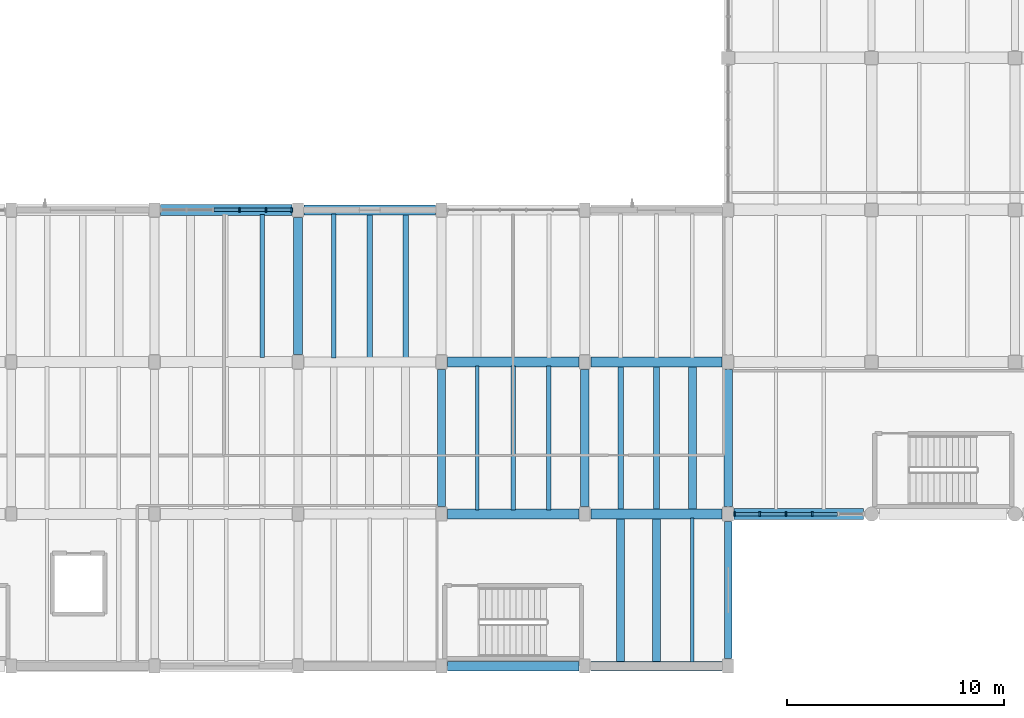
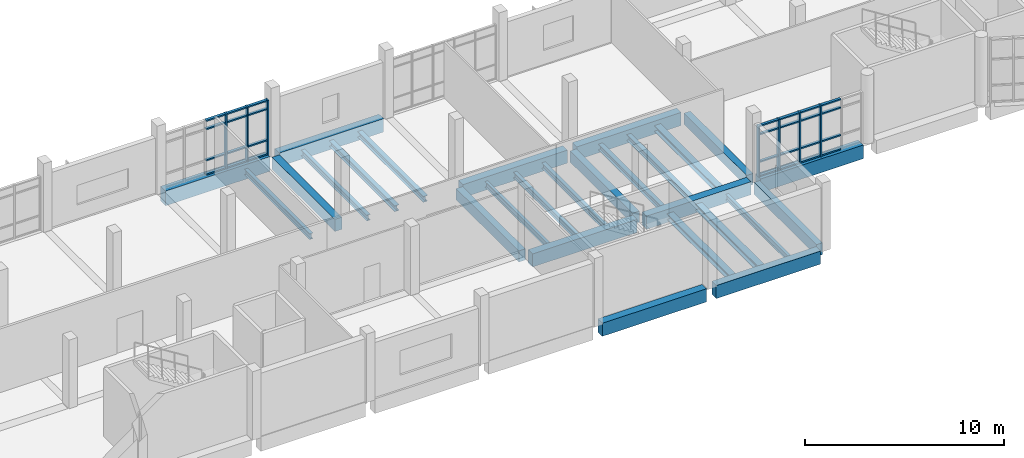
# One storey, part 4 of 67: 35 members, 27 beams, 2 elements without a shape of their own.
"""IFC4 building model written with IfcOpenShell, lengths in metres."""

from ifc_helpers import new_model, si_unit, direction, frame, origin, origin_2d, place, context, subcontext, project, spatial, rectangle, i_section, extrude, material, material_profile, profile_set, type_object, element, aggregate, save


model = new_model("IFC4")

# Units and contexts
model_context = context("Model", 3, precision=1e-05, world=origin(), true_north=direction((0.0, 1.0)))
body_context = subcontext(model_context, "Body", "Model", "MODEL_VIEW")
ifc_project = project(units=[si_unit("LENGTHUNIT", "METRE"), si_unit("AREAUNIT", "SQUARE_METRE"), si_unit("VOLUMEUNIT", "CUBIC_METRE"), si_unit("PLANEANGLEUNIT", "RADIAN"), si_unit("MASSUNIT", "GRAM", prefix="KILO")], contexts=[model_context])

# Site, building, storey
site_placement = place(None, origin())
site = spatial("IfcSite", under=ifc_project, at=site_placement, CompositionType="ELEMENT")
building_placement = place(site_placement, origin())
building = spatial("IfcBuilding", under=site, at=building_placement, Name="Ciguamira Faculty of Natural Sciences", CompositionType="ELEMENT")
storey_placement = place(building_placement, frame((0.0, 0.0, 8.39990234375)))
storey = spatial("IfcBuildingStorey", under=building, at=storey_placement, Name="L02", CompositionType="ELEMENT", Elevation=8.39990234375)

# Curtain wall, members
ifc_material_1 = material(Name="Anodized aluminium curtain wall", Category="aluminium")
curtain_wall_type_1 = type_object("IfcCurtainWallType", Name="CurtainWall_CW-06", PredefinedType="USERDEFINED", material=ifc_material_1)
curtain_wall_1_placement = place(storey_placement, origin())
curtain_wall_1 = element("IfcCurtainWall", 1, at=curtain_wall_1_placement, inside=storey, type_object=curtain_wall_type_1, Name="L02 unitised curtain wall 0054", ObjectType="UNITISED CURTAIN WALL", PredefinedType="USERDEFINED")
ifc_material_2 = material(Name="Anodized aluminium mullion", Category="aluminium")
ifc_material_profile_1 = material_profile(ifc_material_2, rectangle(XDim=0.080078125, YDim=0.219970703125, at=origin_2d()), Name="ALU-MUL-80X220")
ifc_profile_set_1 = profile_set([ifc_material_profile_1], Name="Anodized aluminium mullion")
member_type_1 = type_object("IfcMemberType", Name="CWMullion_CWM-03", PredefinedType="MULLION", material=ifc_profile_set_1)
member_1_placement = place(storey_placement, frame((50.989990234375, 10.0, 0.0), z_axis=(0.0, 0.0, 1.0), x_axis=(1.0, 0.0, 0.0)))
member_1 = element("IfcMember", 2, at=member_1_placement, type_object=member_type_1, Name="CW-06 mullion 1", PredefinedType="MULLION", context=body_context, shape_type="SweptSolid", body=[
    extrude(rectangle(XDim=0.080078125, YDim=0.219970703125, at=origin_2d()), origin(), (0.0, 0.0, 1.0), 3.135009765625),
])
member_2_placement = place(storey_placement, frame((52.155029296875, 10.0, 0.0), z_axis=(0.0, 0.0, 1.0), x_axis=(1.0, 0.0, 0.0)))
member_2 = element("IfcMember", 3, at=member_2_placement, type_object=member_type_1, Name="CW-06 mullion 2", PredefinedType="MULLION", context=body_context, shape_type="SweptSolid", body=[
    extrude(rectangle(XDim=0.080078125, YDim=0.219970703125, at=origin_2d()), origin(), (0.0, 0.0, 1.0), 3.135009765625),
])
member_3_placement = place(storey_placement, frame((53.360107421875, 10.0, 0.0), z_axis=(0.0, 0.0, 1.0), x_axis=(1.0, 0.0, 0.0)))
member_3 = element("IfcMember", 4, at=member_3_placement, type_object=member_type_1, Name="CW-06 mullion 3", PredefinedType="MULLION", context=body_context, shape_type="SweptSolid", body=[
    extrude(rectangle(XDim=0.080078125, YDim=0.219970703125, at=origin_2d()), origin(), (0.0, 0.0, 1.0), 3.135009765625),
])
member_4_placement = place(storey_placement, frame((54.56494140625, 10.0, 0.0), z_axis=(0.0, 0.0, 1.0), x_axis=(1.0, 0.0, 0.0)))
member_4 = element("IfcMember", 5, at=member_4_placement, type_object=member_type_1, Name="CW-06 mullion 4", PredefinedType="MULLION", context=body_context, shape_type="SweptSolid", body=[
    extrude(rectangle(XDim=0.080078125, YDim=0.219970703125, at=origin_2d()), origin(), (0.0, 0.0, 1.0), 3.135009765625),
])

curtain_wall_type_2 = type_object("IfcCurtainWallType", Name="CurtainWall_CW-09", PredefinedType="USERDEFINED", material=ifc_material_1)
curtain_wall_2_placement = place(storey_placement, origin())
curtain_wall_2 = element("IfcCurtainWall", 6, at=curtain_wall_2_placement, inside=storey, type_object=curtain_wall_type_2, Name="L02 unitised curtain wall 0057", ObjectType="UNITISED CURTAIN WALL", PredefinedType="USERDEFINED")
member_5_placement = place(storey_placement, frame((28.2099609375, 24.0, 0.0), z_axis=(0.0, 0.0, 1.0), x_axis=(1.0, 0.0, 0.0)))
member_5 = element("IfcMember", 7, at=member_5_placement, type_object=member_type_1, Name="CW-09 mullion 4", PredefinedType="MULLION", context=body_context, shape_type="SweptSolid", body=[
    extrude(rectangle(XDim=0.080078125, YDim=0.219970703125, at=origin_2d()), origin(), (0.0, 0.0, 1.0), 3.364990234375),
])
member_6_placement = place(storey_placement, frame((29.429931640625, 24.0, 0.0), z_axis=(0.0, 0.0, 1.0), x_axis=(1.0, 0.0, 0.0)))
member_6 = element("IfcMember", 8, at=member_6_placement, type_object=member_type_1, Name="CW-09 mullion 5", PredefinedType="MULLION", context=body_context, shape_type="SweptSolid", body=[
    extrude(rectangle(XDim=0.080078125, YDim=0.219970703125, at=origin_2d()), origin(), (0.0, 0.0, 1.0), 3.364990234375),
])
member_7_placement = place(storey_placement, frame((30.610107421875, 24.0, 0.0), z_axis=(0.0, 0.0, 1.0), x_axis=(1.0, 0.0, 0.0)))
member_7 = element("IfcMember", 9, at=member_7_placement, type_object=member_type_1, Name="CW-09 mullion 6", PredefinedType="MULLION", context=body_context, shape_type="SweptSolid", body=[
    extrude(rectangle(XDim=0.080078125, YDim=0.219970703125, at=origin_2d()), origin(), (0.0, 0.0, 1.0), 3.364990234375),
])

# Member
ifc_material_3 = material(Name="Anodized aluminium transom", Category="aluminium")
ifc_material_profile_2 = material_profile(ifc_material_3, rectangle(XDim=0.080078125, YDim=0.159912109375, at=origin_2d()), Name="ALU-TRN-80X160")
ifc_profile_set_2 = profile_set([ifc_material_profile_2], Name="Anodized aluminium transom")
member_type_2 = type_object("IfcMemberType", Name="CWTransom_CWT-03", PredefinedType="USERDEFINED", material=ifc_profile_set_2)
member_8_placement = place(storey_placement, frame((51.030029296875, 10.0, 0.0400390625), z_axis=(1.0, 0.0, 0.0), x_axis=(0.0, 0.0, 1.0)))
member_8 = element("IfcMember", 10, at=member_8_placement, type_object=member_type_2, Name="CW-06 transom 1.1", ObjectType="TRANSOM", PredefinedType="USERDEFINED", context=body_context, shape_type="SweptSolid", body=[
    extrude(rectangle(XDim=0.080078125, YDim=0.159912109375, at=origin_2d()), origin(), (0.0, 0.0, 1.0), 1.0849609375),
])

member_9_placement = place(storey_placement, frame((51.030029296875, 10.0, 0.900146484375), z_axis=(1.0, 0.0, 0.0), x_axis=(0.0, 0.0, 1.0)))
member_9 = element("IfcMember", 11, at=member_9_placement, type_object=member_type_2, Name="CW-06 transom 1.2", ObjectType="TRANSOM", PredefinedType="USERDEFINED", context=body_context, shape_type="SweptSolid", body=[
    extrude(rectangle(XDim=0.080078125, YDim=0.159912109375, at=origin_2d()), origin(), (0.0, 0.0, 1.0), 1.0849609375),
])

member_10_placement = place(storey_placement, frame((51.030029296875, 10.0, 2.585205078125), z_axis=(1.0, 0.0, 0.0), x_axis=(0.0, 0.0, 1.0)))
member_10 = element("IfcMember", 12, at=member_10_placement, type_object=member_type_2, Name="CW-06 transom 1.3", ObjectType="TRANSOM", PredefinedType="USERDEFINED", context=body_context, shape_type="SweptSolid", body=[
    extrude(rectangle(XDim=0.080078125, YDim=0.159912109375, at=origin_2d()), origin(), (0.0, 0.0, 1.0), 1.0849609375),
])

member_11_placement = place(storey_placement, frame((51.030029296875, 10.0, 3.09521484375), z_axis=(1.0, 0.0, 0.0), x_axis=(0.0, 0.0, 1.0)))
member_11 = element("IfcMember", 13, at=member_11_placement, type_object=member_type_2, Name="CW-06 transom 1.4", ObjectType="TRANSOM", PredefinedType="USERDEFINED", context=body_context, shape_type="SweptSolid", body=[
    extrude(rectangle(XDim=0.080078125, YDim=0.159912109375, at=origin_2d()), origin(), (0.0, 0.0, 1.0), 1.0849609375),
])

member_12_placement = place(storey_placement, frame((52.195068359375, 10.0, 0.0400390625), z_axis=(1.0, 0.0, 0.0), x_axis=(0.0, 0.0, 1.0)))
member_12 = element("IfcMember", 14, at=member_12_placement, type_object=member_type_2, Name="CW-06 transom 2.1", ObjectType="TRANSOM", PredefinedType="USERDEFINED", context=body_context, shape_type="SweptSolid", body=[
    extrude(rectangle(XDim=0.080078125, YDim=0.159912109375, at=origin_2d()), origin(), (0.0, 0.0, 1.0), 1.125),
])

member_13_placement = place(storey_placement, frame((52.195068359375, 10.0, 0.900146484375), z_axis=(1.0, 0.0, 0.0), x_axis=(0.0, 0.0, 1.0)))
member_13 = element("IfcMember", 15, at=member_13_placement, type_object=member_type_2, Name="CW-06 transom 2.2", ObjectType="TRANSOM", PredefinedType="USERDEFINED", context=body_context, shape_type="SweptSolid", body=[
    extrude(rectangle(XDim=0.080078125, YDim=0.159912109375, at=origin_2d()), origin(), (0.0, 0.0, 1.0), 1.125),
])

member_14_placement = place(storey_placement, frame((52.195068359375, 10.0, 2.585205078125), z_axis=(1.0, 0.0, 0.0), x_axis=(0.0, 0.0, 1.0)))
member_14 = element("IfcMember", 16, at=member_14_placement, type_object=member_type_2, Name="CW-06 transom 2.3", ObjectType="TRANSOM", PredefinedType="USERDEFINED", context=body_context, shape_type="SweptSolid", body=[
    extrude(rectangle(XDim=0.080078125, YDim=0.159912109375, at=origin_2d()), origin(), (0.0, 0.0, 1.0), 1.125),
])

member_15_placement = place(storey_placement, frame((52.195068359375, 10.0, 3.09521484375), z_axis=(1.0, 0.0, 0.0), x_axis=(0.0, 0.0, 1.0)))
member_15 = element("IfcMember", 17, at=member_15_placement, type_object=member_type_2, Name="CW-06 transom 2.4", ObjectType="TRANSOM", PredefinedType="USERDEFINED", context=body_context, shape_type="SweptSolid", body=[
    extrude(rectangle(XDim=0.080078125, YDim=0.159912109375, at=origin_2d()), origin(), (0.0, 0.0, 1.0), 1.125),
])

member_16_placement = place(storey_placement, frame((53.39990234375, 10.0, 0.0400390625), z_axis=(1.0, 0.0, 0.0), x_axis=(0.0, 0.0, 1.0)))
member_16 = element("IfcMember", 18, at=member_16_placement, type_object=member_type_2, Name="CW-06 transom 3.1", ObjectType="TRANSOM", PredefinedType="USERDEFINED", context=body_context, shape_type="SweptSolid", body=[
    extrude(rectangle(XDim=0.080078125, YDim=0.159912109375, at=origin_2d()), origin(), (0.0, 0.0, 1.0), 1.125),
])

member_17_placement = place(storey_placement, frame((53.39990234375, 10.0, 0.900146484375), z_axis=(1.0, 0.0, 0.0), x_axis=(0.0, 0.0, 1.0)))
member_17 = element("IfcMember", 19, at=member_17_placement, type_object=member_type_2, Name="CW-06 transom 3.2", ObjectType="TRANSOM", PredefinedType="USERDEFINED", context=body_context, shape_type="SweptSolid", body=[
    extrude(rectangle(XDim=0.080078125, YDim=0.159912109375, at=origin_2d()), origin(), (0.0, 0.0, 1.0), 1.125),
])

member_18_placement = place(storey_placement, frame((53.39990234375, 10.0, 2.585205078125), z_axis=(1.0, 0.0, 0.0), x_axis=(0.0, 0.0, 1.0)))
member_18 = element("IfcMember", 20, at=member_18_placement, type_object=member_type_2, Name="CW-06 transom 3.3", ObjectType="TRANSOM", PredefinedType="USERDEFINED", context=body_context, shape_type="SweptSolid", body=[
    extrude(rectangle(XDim=0.080078125, YDim=0.159912109375, at=origin_2d()), origin(), (0.0, 0.0, 1.0), 1.125),
])

member_19_placement = place(storey_placement, frame((53.39990234375, 10.0, 3.09521484375), z_axis=(1.0, 0.0, 0.0), x_axis=(0.0, 0.0, 1.0)))
member_19 = element("IfcMember", 21, at=member_19_placement, type_object=member_type_2, Name="CW-06 transom 3.4", ObjectType="TRANSOM", PredefinedType="USERDEFINED", context=body_context, shape_type="SweptSolid", body=[
    extrude(rectangle(XDim=0.080078125, YDim=0.159912109375, at=origin_2d()), origin(), (0.0, 0.0, 1.0), 1.125),
])

member_20_placement = place(storey_placement, frame((54.60498046875, 10.0, 0.0400390625), z_axis=(1.0, 0.0, 0.0), x_axis=(0.0, 0.0, 1.0)))
member_20 = element("IfcMember", 22, at=member_20_placement, type_object=member_type_2, Name="CW-06 transom 4.1", ObjectType="TRANSOM", PredefinedType="USERDEFINED", context=body_context, shape_type="SweptSolid", body=[
    extrude(rectangle(XDim=0.080078125, YDim=0.159912109375, at=origin_2d()), origin(), (0.0, 0.0, 1.0), 1.125),
])

member_21_placement = place(storey_placement, frame((54.60498046875, 10.0, 0.900146484375), z_axis=(1.0, 0.0, 0.0), x_axis=(0.0, 0.0, 1.0)))
member_21 = element("IfcMember", 23, at=member_21_placement, type_object=member_type_2, Name="CW-06 transom 4.2", ObjectType="TRANSOM", PredefinedType="USERDEFINED", context=body_context, shape_type="SweptSolid", body=[
    extrude(rectangle(XDim=0.080078125, YDim=0.159912109375, at=origin_2d()), origin(), (0.0, 0.0, 1.0), 1.125),
])

member_22_placement = place(storey_placement, frame((54.60498046875, 10.0, 2.585205078125), z_axis=(1.0, 0.0, 0.0), x_axis=(0.0, 0.0, 1.0)))
member_22 = element("IfcMember", 24, at=member_22_placement, type_object=member_type_2, Name="CW-06 transom 4.3", ObjectType="TRANSOM", PredefinedType="USERDEFINED", context=body_context, shape_type="SweptSolid", body=[
    extrude(rectangle(XDim=0.080078125, YDim=0.159912109375, at=origin_2d()), origin(), (0.0, 0.0, 1.0), 1.125),
])

member_23_placement = place(storey_placement, frame((54.60498046875, 10.0, 3.09521484375), z_axis=(1.0, 0.0, 0.0), x_axis=(0.0, 0.0, 1.0)))
member_23 = element("IfcMember", 25, at=member_23_placement, type_object=member_type_2, Name="CW-06 transom 4.4", ObjectType="TRANSOM", PredefinedType="USERDEFINED", context=body_context, shape_type="SweptSolid", body=[
    extrude(rectangle(XDim=0.080078125, YDim=0.159912109375, at=origin_2d()), origin(), (0.0, 0.0, 1.0), 1.125),
])

aggregate(curtain_wall_1, [member_1, member_2, member_3, member_4, member_8, member_9, member_10, member_11, member_12, member_13, member_14, member_15, member_16, member_17, member_18, member_19, member_20, member_21, member_22, member_23])

member_24_placement = place(storey_placement, frame((27.030029296875, 24.0, 0.0400390625), z_axis=(1.0, 0.0, 0.0), x_axis=(0.0, 0.0, 1.0)))
member_24 = element("IfcMember", 26, at=member_24_placement, type_object=member_type_2, Name="CW-09 transom 3.1", ObjectType="TRANSOM", PredefinedType="USERDEFINED", context=body_context, shape_type="SweptSolid", body=[
    extrude(rectangle(XDim=0.080078125, YDim=0.159912109375, at=origin_2d()), origin(), (0.0, 0.0, 1.0), 1.139892578125),
])

member_25_placement = place(storey_placement, frame((27.030029296875, 24.0, 0.900146484375), z_axis=(1.0, 0.0, 0.0), x_axis=(0.0, 0.0, 1.0)))
member_25 = element("IfcMember", 27, at=member_25_placement, type_object=member_type_2, Name="CW-09 transom 3.2", ObjectType="TRANSOM", PredefinedType="USERDEFINED", context=body_context, shape_type="SweptSolid", body=[
    extrude(rectangle(XDim=0.080078125, YDim=0.159912109375, at=origin_2d()), origin(), (0.0, 0.0, 1.0), 1.139892578125),
])

member_26_placement = place(storey_placement, frame((27.030029296875, 24.0, 2.815185546875), z_axis=(1.0, 0.0, 0.0), x_axis=(0.0, 0.0, 1.0)))
member_26 = element("IfcMember", 28, at=member_26_placement, type_object=member_type_2, Name="CW-09 transom 3.3", ObjectType="TRANSOM", PredefinedType="USERDEFINED", context=body_context, shape_type="SweptSolid", body=[
    extrude(rectangle(XDim=0.080078125, YDim=0.159912109375, at=origin_2d()), origin(), (0.0, 0.0, 1.0), 1.139892578125),
])

member_27_placement = place(storey_placement, frame((27.030029296875, 24.0, 3.3251953125), z_axis=(1.0, 0.0, 0.0), x_axis=(0.0, 0.0, 1.0)))
member_27 = element("IfcMember", 29, at=member_27_placement, type_object=member_type_2, Name="CW-09 transom 3.4", ObjectType="TRANSOM", PredefinedType="USERDEFINED", context=body_context, shape_type="SweptSolid", body=[
    extrude(rectangle(XDim=0.080078125, YDim=0.159912109375, at=origin_2d()), origin(), (0.0, 0.0, 1.0), 1.139892578125),
])

member_28_placement = place(storey_placement, frame((28.25, 24.0, 0.0400390625), z_axis=(1.0, 0.0, 0.0), x_axis=(0.0, 0.0, 1.0)))
member_28 = element("IfcMember", 30, at=member_28_placement, type_object=member_type_2, Name="CW-09 transom 4.1", ObjectType="TRANSOM", PredefinedType="USERDEFINED", context=body_context, shape_type="SweptSolid", body=[
    extrude(rectangle(XDim=0.080078125, YDim=0.159912109375, at=origin_2d()), origin(), (0.0, 0.0, 1.0), 1.139892578125),
])

member_29_placement = place(storey_placement, frame((28.25, 24.0, 0.900146484375), z_axis=(1.0, 0.0, 0.0), x_axis=(0.0, 0.0, 1.0)))
member_29 = element("IfcMember", 31, at=member_29_placement, type_object=member_type_2, Name="CW-09 transom 4.2", ObjectType="TRANSOM", PredefinedType="USERDEFINED", context=body_context, shape_type="SweptSolid", body=[
    extrude(rectangle(XDim=0.080078125, YDim=0.159912109375, at=origin_2d()), origin(), (0.0, 0.0, 1.0), 1.139892578125),
])

member_30_placement = place(storey_placement, frame((28.25, 24.0, 2.815185546875), z_axis=(1.0, 0.0, 0.0), x_axis=(0.0, 0.0, 1.0)))
member_30 = element("IfcMember", 32, at=member_30_placement, type_object=member_type_2, Name="CW-09 transom 4.3", ObjectType="TRANSOM", PredefinedType="USERDEFINED", context=body_context, shape_type="SweptSolid", body=[
    extrude(rectangle(XDim=0.080078125, YDim=0.159912109375, at=origin_2d()), origin(), (0.0, 0.0, 1.0), 1.139892578125),
])

member_31_placement = place(storey_placement, frame((28.25, 24.0, 3.3251953125), z_axis=(1.0, 0.0, 0.0), x_axis=(0.0, 0.0, 1.0)))
member_31 = element("IfcMember", 33, at=member_31_placement, type_object=member_type_2, Name="CW-09 transom 4.4", ObjectType="TRANSOM", PredefinedType="USERDEFINED", context=body_context, shape_type="SweptSolid", body=[
    extrude(rectangle(XDim=0.080078125, YDim=0.159912109375, at=origin_2d()), origin(), (0.0, 0.0, 1.0), 1.139892578125),
])

member_32_placement = place(storey_placement, frame((29.469970703125, 24.0, 0.0400390625), z_axis=(1.0, 0.0, 0.0), x_axis=(0.0, 0.0, 1.0)))
member_32 = element("IfcMember", 34, at=member_32_placement, type_object=member_type_2, Name="CW-09 transom 5.1", ObjectType="TRANSOM", PredefinedType="USERDEFINED", context=body_context, shape_type="SweptSolid", body=[
    extrude(rectangle(XDim=0.080078125, YDim=0.159912109375, at=origin_2d()), origin(), (0.0, 0.0, 1.0), 1.10009765625),
])

member_33_placement = place(storey_placement, frame((29.469970703125, 24.0, 0.900146484375), z_axis=(1.0, 0.0, 0.0), x_axis=(0.0, 0.0, 1.0)))
member_33 = element("IfcMember", 35, at=member_33_placement, type_object=member_type_2, Name="CW-09 transom 5.2", ObjectType="TRANSOM", PredefinedType="USERDEFINED", context=body_context, shape_type="SweptSolid", body=[
    extrude(rectangle(XDim=0.080078125, YDim=0.159912109375, at=origin_2d()), origin(), (0.0, 0.0, 1.0), 1.10009765625),
])

member_34_placement = place(storey_placement, frame((29.469970703125, 24.0, 2.815185546875), z_axis=(1.0, 0.0, 0.0), x_axis=(0.0, 0.0, 1.0)))
member_34 = element("IfcMember", 36, at=member_34_placement, type_object=member_type_2, Name="CW-09 transom 5.3", ObjectType="TRANSOM", PredefinedType="USERDEFINED", context=body_context, shape_type="SweptSolid", body=[
    extrude(rectangle(XDim=0.080078125, YDim=0.159912109375, at=origin_2d()), origin(), (0.0, 0.0, 1.0), 1.10009765625),
])

member_35_placement = place(storey_placement, frame((29.469970703125, 24.0, 3.3251953125), z_axis=(1.0, 0.0, 0.0), x_axis=(0.0, 0.0, 1.0)))
member_35 = element("IfcMember", 37, at=member_35_placement, type_object=member_type_2, Name="CW-09 transom 5.4", ObjectType="TRANSOM", PredefinedType="USERDEFINED", context=body_context, shape_type="SweptSolid", body=[
    extrude(rectangle(XDim=0.080078125, YDim=0.159912109375, at=origin_2d()), origin(), (0.0, 0.0, 1.0), 1.10009765625),
])

aggregate(curtain_wall_2, [member_5, member_6, member_7, member_24, member_25, member_26, member_27, member_28, member_29, member_30, member_31, member_32, member_33, member_34, member_35])

# Beams
ifc_material_4 = material(Name="Concrete C40/50", Category="concrete")
ifc_material_profile_3 = material_profile(ifc_material_4, rectangle(XDim=0.5, YDim=0.89990234375, at=origin_2d()), Name="RC-BM-500X900")
ifc_profile_set_3 = profile_set([ifc_material_profile_3], Name="Concrete C40/50")
beam_type_1 = type_object("IfcBeamType", Name="RCBeam_BG-03_RC-BM-500X900", PredefinedType="BEAM", material=ifc_profile_set_3)
beam_1_placement = place(storey_placement, frame((24.574951171875, 24.0, -0.449951171875), z_axis=(1.0, 0.0, 0.0), x_axis=(0.0, 1.0, 0.0)))
element("IfcBeam", 38, at=beam_1_placement, inside=storey, type_object=beam_type_1, Name="L02 RC girder EW-0751", PredefinedType="BEAM", context=body_context, shape_type="SweptSolid", body=[
    extrude(rectangle(XDim=0.5, YDim=0.89990234375, at=origin_2d()), origin(), (0.0, 0.0, 1.0), 6.050048828125),
])
ifc_material_profile_4 = material_profile(ifc_material_4, rectangle(XDim=0.4599609375, YDim=0.820068359375, at=origin_2d()), Name="RC-BM-460X820")
ifc_profile_set_4 = profile_set([ifc_material_profile_4], Name="Concrete C40/50")
beam_type_2 = type_object("IfcBeamType", Name="RCBeam_BG-04_RC-BM-460X820", PredefinedType="BEAM", material=ifc_profile_set_4)
beam_2_placement = place(storey_placement, frame((31.175048828125, 24.0, -0.409912109375), z_axis=(1.0, 0.0, 0.0), x_axis=(0.0, 1.0, 0.0)))
element("IfcBeam", 39, at=beam_2_placement, inside=storey, type_object=beam_type_2, Name="L02 RC girder EW-0752", PredefinedType="BEAM", context=body_context, shape_type="SweptSolid", body=[
    extrude(rectangle(XDim=0.4599609375, YDim=0.820068359375, at=origin_2d()), origin(), (0.0, 0.0, 1.0), 6.050048828125),
])
ifc_material_profile_5 = material_profile(ifc_material_4, rectangle(XDim=0.449951171875, YDim=0.800048828125, at=origin_2d()), Name="RC-BM-450X800")
ifc_profile_set_5 = profile_set([ifc_material_profile_5], Name="Concrete C40/50")
beam_type_3 = type_object("IfcBeamType", Name="RCBeam_BG-05_RC-BM-450X800", PredefinedType="BEAM", material=ifc_profile_set_5)
for number, where, z_axis, x_axis, name in (
    (40, (37.77490234375, 3.0, -0.39990234375), (1.0, 0.0, 0.0), (0.0, 1.0, 0.0), "L02 RC girder EW-0710"),
    (41, (44.375, 3.0, -0.39990234375), (1.0, 0.0, 0.0), (0.0, 1.0, 0.0), "L02 RC girder EW-0711"),
    (42, (37.77490234375, 10.0, -0.39990234375), (1.0, 0.0, 0.0), (0.0, 1.0, 0.0), "L02 RC girder EW-0717"),
    (43, (44.375, 10.0, -0.39990234375), (1.0, 0.0, 0.0), (0.0, 1.0, 0.0), "L02 RC girder EW-0718"),
    (44, (37.77490234375, 17.0, -0.39990234375), (1.0, 0.0, 0.0), (0.0, 1.0, 0.0), "L02 RC girder EW-0735"),
    (45, (44.375, 17.0, -0.39990234375), (1.0, 0.0, 0.0), (0.0, 1.0, 0.0), "L02 RC girder EW-0736"),
):
    element("IfcBeam", number, at=place(storey_placement, frame(where, z_axis=z_axis, x_axis=x_axis)), inside=storey, type_object=beam_type_3, Name=name, PredefinedType="BEAM", context=body_context, shape_type="SweptSolid", body=[
        extrude(rectangle(XDim=0.449951171875, YDim=0.800048828125, at=origin_2d()), origin(), (0.0, 0.0, 1.0), 6.050048828125),
    ])
ifc_material_profile_6 = material_profile(ifc_material_4, rectangle(XDim=0.419921875, YDim=0.739990234375, at=origin_2d()), Name="RC-BM-420X740")
ifc_profile_set_6 = profile_set([ifc_material_profile_6], Name="Concrete C40/50")
beam_type_4 = type_object("IfcBeamType", Name="RCBeam_BG-07_RC-BM-420X740", PredefinedType="BEAM", material=ifc_profile_set_6)
beam_3_placement = place(storey_placement, frame((30.89990234375, 17.35009765625, -0.369873046875), z_axis=(0.0, 1.0, 0.0), x_axis=(-1.0, 0.0, 0.0)))
element("IfcBeam", 46, at=beam_3_placement, inside=storey, type_object=beam_type_4, Name="L02 girder NS-0887", PredefinedType="BEAM", context=body_context, shape_type="SweptSolid", body=[
    extrude(rectangle(XDim=0.419921875, YDim=0.739990234375, at=origin_2d()), origin(), (0.0, 0.0, 1.0), 6.2998046875),
])
ifc_material_profile_7 = material_profile(ifc_material_4, rectangle(XDim=0.3798828125, YDim=0.679931640625, at=origin_2d()), Name="RC-BM-380X680")
ifc_profile_set_7 = profile_set([ifc_material_profile_7], Name="Concrete C40/50")
beam_type_5 = type_object("IfcBeamType", Name="RCBeam_BG-09_RC-BM-380X680", PredefinedType="BEAM", material=ifc_profile_set_7)
for number, where, z_axis, x_axis, name in (
    (47, (37.5, 10.35009765625, -0.33984375), (0.0, 1.0, 0.0), (-1.0, 0.0, 0.0), "L02 girder NS-0888"),
    (48, (44.10009765625, 10.35009765625, -0.33984375), (0.0, 1.0, 0.0), (-1.0, 0.0, 0.0), "L02 girder NS-0890"),
    (49, (50.699951171875, 10.35009765625, -0.33984375), (0.0, 1.0, 0.0), (-1.0, 0.0, 0.0), "L02 girder NS-0893"),
):
    element("IfcBeam", number, at=place(storey_placement, frame(where, z_axis=z_axis, x_axis=x_axis)), inside=storey, type_object=beam_type_5, Name=name, PredefinedType="BEAM", context=body_context, shape_type="SweptSolid", body=[
        extrude(rectangle(XDim=0.3798828125, YDim=0.679931640625, at=origin_2d()), origin(), (0.0, 0.0, 1.0), 6.2998046875),
    ])
ifc_material_5 = material(Name="Precast concrete C40/50", Category="concrete")
ifc_material_profile_8 = material_profile(ifc_material_5, rectangle(XDim=0.340087890625, YDim=0.719970703125, at=origin_2d()), Name="RC-SP-340X720")
ifc_profile_set_8 = profile_set([ifc_material_profile_8], Name="Precast concrete C40/50")
beam_type_6 = type_object("IfcBeamType", Name="RCBeam_SP-03_RC-SP-340X720", PredefinedType="SPANDREL", material=ifc_profile_set_8)
beam_4_placement = place(storey_placement, frame((50.699951171875, 3.35009765625, -0.35986328125), z_axis=(0.0, 1.0, 0.0), x_axis=(-1.0, 0.0, 0.0)))
element("IfcBeam", 50, at=beam_4_placement, inside=storey, type_object=beam_type_6, Name="L02 girder NS-0892", PredefinedType="SPANDREL", context=body_context, shape_type="SweptSolid", body=[
    extrude(rectangle(XDim=0.340087890625, YDim=0.719970703125, at=origin_2d()), origin(), (0.0, 0.0, 1.0), 6.2998046875),
])
ifc_material_profile_9 = material_profile(ifc_material_4, rectangle(XDim=0.52001953125, YDim=0.840087890625, at=origin_2d()), Name="RC-TB-520X840")
ifc_profile_set_9 = profile_set([ifc_material_profile_9], Name="Concrete C40/50")
beam_type_7 = type_object("IfcBeamType", Name="RCBeam_TB-02_RC-TB-520X840", PredefinedType="T_BEAM", material=ifc_profile_set_9)
beam_5_placement = place(storey_placement, frame((50.97509765625, 10.0, -0.419921875), z_axis=(1.0, 0.0, 0.0), x_axis=(0.0, 1.0, 0.0)))
element("IfcBeam", 51, at=beam_5_placement, inside=storey, type_object=beam_type_7, Name="L02 RC girder EW-0719", PredefinedType="T_BEAM", context=body_context, shape_type="SweptSolid", body=[
    extrude(rectangle(XDim=0.52001953125, YDim=0.840087890625, at=origin_2d()), origin(), (0.0, 0.0, 1.0), 5.949951171875),
])
ifc_material_6 = material(Name="Steel ASTM A992 Grade 50", Category="steel")
ifc_material_profile_10 = material_profile(ifc_material_6, i_section(OverallWidth=0.370849609375, OverallDepth=0.36328125, WebThickness=0.013427734375, FlangeThickness=0.021728515625, at=origin_2d()), Name="W14X109")
ifc_profile_set_10 = profile_set([ifc_material_profile_10], Name="Steel ASTM A992 Grade 50")
beam_type_8 = type_object("IfcBeamType", Name="SteelJoist_SJ-09_W14X109", PredefinedType="JOIST", material=ifc_profile_set_10)
beam_6_placement = place(storey_placement, frame((45.75, 3.18505859375, -0.44140625), z_axis=(0.0, 1.0, 0.0), x_axis=(-1.0, 0.0, 0.0)))
element("IfcBeam", 52, at=beam_6_placement, inside=storey, type_object=beam_type_8, Name="L02 composite steel joist 00692", PredefinedType="JOIST", context=body_context, shape_type="SweptSolid", body=[
    extrude(i_section(OverallWidth=0.370849609375, OverallDepth=0.36328125, WebThickness=0.013427734375, FlangeThickness=0.021728515625, at=origin_2d()), origin(), (0.0, 0.0, 1.0), 6.6298828125),
])
ifc_material_profile_11 = material_profile(ifc_material_6, i_section(OverallWidth=0.373291015625, OverallDepth=0.373291015625, WebThickness=0.016357421875, FlangeThickness=0.026123046875, at=origin_2d()), Name="W14X132")
ifc_profile_set_11 = profile_set([ifc_material_profile_11], Name="Steel ASTM A992 Grade 50")
beam_type_9 = type_object("IfcBeamType", Name="SteelJoist_SJ-10_W14X132", PredefinedType="JOIST", material=ifc_profile_set_11)
beam_7_placement = place(storey_placement, frame((47.39990234375, 3.18505859375, -0.446533203125), z_axis=(0.0, 1.0, 0.0), x_axis=(-1.0, 0.0, 0.0)))
element("IfcBeam", 53, at=beam_7_placement, inside=storey, type_object=beam_type_9, Name="L02 composite steel joist 00693", PredefinedType="JOIST", context=body_context, shape_type="SweptSolid", body=[
    extrude(i_section(OverallWidth=0.373291015625, OverallDepth=0.373291015625, WebThickness=0.016357421875, FlangeThickness=0.026123046875, at=origin_2d()), origin(), (0.0, 0.0, 1.0), 6.6298828125),
])
ifc_material_profile_12 = material_profile(ifc_material_6, i_section(OverallWidth=0.1708984375, OverallDepth=0.3505859375, WebThickness=0.0068359375, FlangeThickness=0.009765625, at=origin_2d()), Name="W14X30")
ifc_profile_set_12 = profile_set([ifc_material_profile_12], Name="Steel ASTM A992 Grade 50")
beam_type_10 = type_object("IfcBeamType", Name="SteelJoist_SJ-11_W14X30", PredefinedType="JOIST", material=ifc_profile_set_12)
for number, where, z_axis, x_axis, name in (
    (54, (39.14990234375, 10.18505859375, -0.435302734375), (0.0, 1.0, 0.0), (-1.0, 0.0, 0.0), "L02 composite steel joist 00686"),
    (55, (49.050048828125, 3.18505859375, -0.435302734375), (0.0, 1.0, 0.0), (-1.0, 0.0, 0.0), "L02 composite steel joist 00694"),
):
    element("IfcBeam", number, at=place(storey_placement, frame(where, z_axis=z_axis, x_axis=x_axis)), inside=storey, type_object=beam_type_10, Name=name, PredefinedType="JOIST", context=body_context, shape_type="SweptSolid", body=[
        extrude(i_section(OverallWidth=0.1708984375, OverallDepth=0.3505859375, WebThickness=0.0068359375, FlangeThickness=0.009765625, at=origin_2d()), origin(), (0.0, 0.0, 1.0), 6.6298828125),
    ])
ifc_material_profile_13 = material_profile(ifc_material_6, i_section(OverallWidth=0.203125, OverallDepth=0.347900390625, WebThickness=0.0078125, FlangeThickness=0.013427734375, at=origin_2d()), Name="W14X43")
ifc_profile_set_13 = profile_set([ifc_material_profile_13], Name="Steel ASTM A992 Grade 50")
beam_type_11 = type_object("IfcBeamType", Name="SteelJoist_SJ-12_W14X43", PredefinedType="JOIST", material=ifc_profile_set_13)
beam_8_placement = place(storey_placement, frame((29.25, 17.2099609375, -0.433837890625), z_axis=(0.0, 1.0, 0.0), x_axis=(-1.0, 0.0, 0.0)))
element("IfcBeam", 56, at=beam_8_placement, inside=storey, type_object=beam_type_11, Name="L02 composite steel joist 00676", PredefinedType="JOIST", context=body_context, shape_type="SweptSolid", body=[
    extrude(i_section(OverallWidth=0.203125, OverallDepth=0.347900390625, WebThickness=0.0078125, FlangeThickness=0.013427734375, at=origin_2d()), origin(), (0.0, 0.0, 1.0), 6.580078125),
])
beam_9_placement = place(storey_placement, frame((40.800048828125, 10.18505859375, -0.433837890625), z_axis=(0.0, 1.0, 0.0), x_axis=(-1.0, 0.0, 0.0)))
element("IfcBeam", 57, at=beam_9_placement, inside=storey, type_object=beam_type_11, Name="L02 composite steel joist 00687", PredefinedType="JOIST", context=body_context, shape_type="SweptSolid", body=[
    extrude(i_section(OverallWidth=0.203125, OverallDepth=0.347900390625, WebThickness=0.0078125, FlangeThickness=0.013427734375, at=origin_2d()), origin(), (0.0, 0.0, 1.0), 6.6298828125),
])
ifc_material_profile_14 = material_profile(ifc_material_6, i_section(OverallWidth=0.204833984375, OverallDepth=0.35302734375, WebThickness=0.00927734375, FlangeThickness=0.016845703125, at=origin_2d()), Name="W14X53")
ifc_profile_set_14 = profile_set([ifc_material_profile_14], Name="Steel ASTM A992 Grade 50")
beam_type_12 = type_object("IfcBeamType", Name="SteelJoist_SJ-13_W14X53", PredefinedType="JOIST", material=ifc_profile_set_14)
beam_10_placement = place(storey_placement, frame((32.550048828125, 17.18994140625, -0.4365234375), z_axis=(0.0, 1.0, 0.0), x_axis=(-1.0, 0.0, 0.0)))
element("IfcBeam", 58, at=beam_10_placement, inside=storey, type_object=beam_type_12, Name="L02 composite steel joist 00683", PredefinedType="JOIST", context=body_context, shape_type="SweptSolid", body=[
    extrude(i_section(OverallWidth=0.204833984375, OverallDepth=0.35302734375, WebThickness=0.00927734375, FlangeThickness=0.016845703125, at=origin_2d()), origin(), (0.0, 0.0, 1.0), 6.6201171875),
])
beam_11_placement = place(storey_placement, frame((42.449951171875, 10.18505859375, -0.4365234375), z_axis=(0.0, 1.0, 0.0), x_axis=(-1.0, 0.0, 0.0)))
element("IfcBeam", 59, at=beam_11_placement, inside=storey, type_object=beam_type_12, Name="L02 composite steel joist 00688", PredefinedType="JOIST", context=body_context, shape_type="SweptSolid", body=[
    extrude(i_section(OverallWidth=0.204833984375, OverallDepth=0.35302734375, WebThickness=0.00927734375, FlangeThickness=0.016845703125, at=origin_2d()), origin(), (0.0, 0.0, 1.0), 6.6298828125),
])
ifc_material_profile_15 = material_profile(ifc_material_6, i_section(OverallWidth=0.25390625, OverallDepth=0.355712890625, WebThickness=0.010498046875, FlangeThickness=0.018310546875, at=origin_2d()), Name="W14X68")
ifc_profile_set_15 = profile_set([ifc_material_profile_15], Name="Steel ASTM A992 Grade 50")
beam_type_13 = type_object("IfcBeamType", Name="SteelJoist_SJ-14_W14X68", PredefinedType="JOIST", material=ifc_profile_set_15)
beam_12_placement = place(storey_placement, frame((34.199951171875, 17.18994140625, -0.437744140625), z_axis=(0.0, 1.0, 0.0), x_axis=(-1.0, 0.0, 0.0)))
element("IfcBeam", 60, at=beam_12_placement, inside=storey, type_object=beam_type_13, Name="L02 composite steel joist 00684", PredefinedType="JOIST", context=body_context, shape_type="SweptSolid", body=[
    extrude(i_section(OverallWidth=0.25390625, OverallDepth=0.355712890625, WebThickness=0.010498046875, FlangeThickness=0.018310546875, at=origin_2d()), origin(), (0.0, 0.0, 1.0), 6.6201171875),
])
beam_13_placement = place(storey_placement, frame((45.75, 10.18505859375, -0.437744140625), z_axis=(0.0, 1.0, 0.0), x_axis=(-1.0, 0.0, 0.0)))
element("IfcBeam", 61, at=beam_13_placement, inside=storey, type_object=beam_type_13, Name="L02 composite steel joist 00695", PredefinedType="JOIST", context=body_context, shape_type="SweptSolid", body=[
    extrude(i_section(OverallWidth=0.25390625, OverallDepth=0.355712890625, WebThickness=0.010498046875, FlangeThickness=0.018310546875, at=origin_2d()), origin(), (0.0, 0.0, 1.0), 6.6298828125),
])
ifc_material_profile_16 = material_profile(ifc_material_6, i_section(OverallWidth=0.256591796875, OverallDepth=0.36328125, WebThickness=0.012939453125, FlangeThickness=0.021728515625, at=origin_2d()), Name="W14X82")
ifc_profile_set_16 = profile_set([ifc_material_profile_16], Name="Steel ASTM A992 Grade 50")
beam_type_14 = type_object("IfcBeamType", Name="SteelJoist_SJ-15_W14X82", PredefinedType="JOIST", material=ifc_profile_set_16)
beam_14_placement = place(storey_placement, frame((35.85009765625, 17.18994140625, -0.44140625), z_axis=(0.0, 1.0, 0.0), x_axis=(-1.0, 0.0, 0.0)))
element("IfcBeam", 62, at=beam_14_placement, inside=storey, type_object=beam_type_14, Name="L02 composite steel joist 00685", PredefinedType="JOIST", context=body_context, shape_type="SweptSolid", body=[
    extrude(i_section(OverallWidth=0.256591796875, OverallDepth=0.36328125, WebThickness=0.012939453125, FlangeThickness=0.021728515625, at=origin_2d()), origin(), (0.0, 0.0, 1.0), 6.6201171875),
])
beam_15_placement = place(storey_placement, frame((47.39990234375, 10.18505859375, -0.44140625), z_axis=(0.0, 1.0, 0.0), x_axis=(-1.0, 0.0, 0.0)))
element("IfcBeam", 63, at=beam_15_placement, inside=storey, type_object=beam_type_14, Name="L02 composite steel joist 00696", PredefinedType="JOIST", context=body_context, shape_type="SweptSolid", body=[
    extrude(i_section(OverallWidth=0.256591796875, OverallDepth=0.36328125, WebThickness=0.012939453125, FlangeThickness=0.021728515625, at=origin_2d()), origin(), (0.0, 0.0, 1.0), 6.6298828125),
])
ifc_material_profile_17 = material_profile(ifc_material_6, i_section(OverallWidth=0.368408203125, OverallDepth=0.355712890625, WebThickness=0.01123046875, FlangeThickness=0.01806640625, at=origin_2d()), Name="W14X90")
ifc_profile_set_17 = profile_set([ifc_material_profile_17], Name="Steel ASTM A992 Grade 50")
beam_type_15 = type_object("IfcBeamType", Name="SteelJoist_SJ-16_W14X90", PredefinedType="JOIST", material=ifc_profile_set_17)
beam_16_placement = place(storey_placement, frame((49.050048828125, 10.18505859375, -0.437744140625), z_axis=(0.0, 1.0, 0.0), x_axis=(-1.0, 0.0, 0.0)))
element("IfcBeam", 64, at=beam_16_placement, inside=storey, type_object=beam_type_15, Name="L02 composite steel joist 00697", PredefinedType="JOIST", context=body_context, shape_type="SweptSolid", body=[
    extrude(i_section(OverallWidth=0.368408203125, OverallDepth=0.355712890625, WebThickness=0.01123046875, FlangeThickness=0.01806640625, at=origin_2d()), origin(), (0.0, 0.0, 1.0), 6.6298828125),
])

save(model, "model.ifc")
